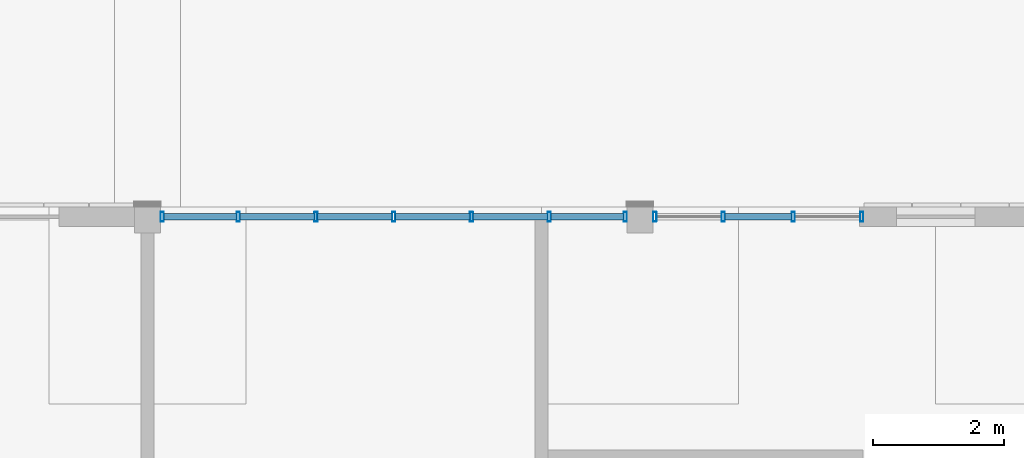
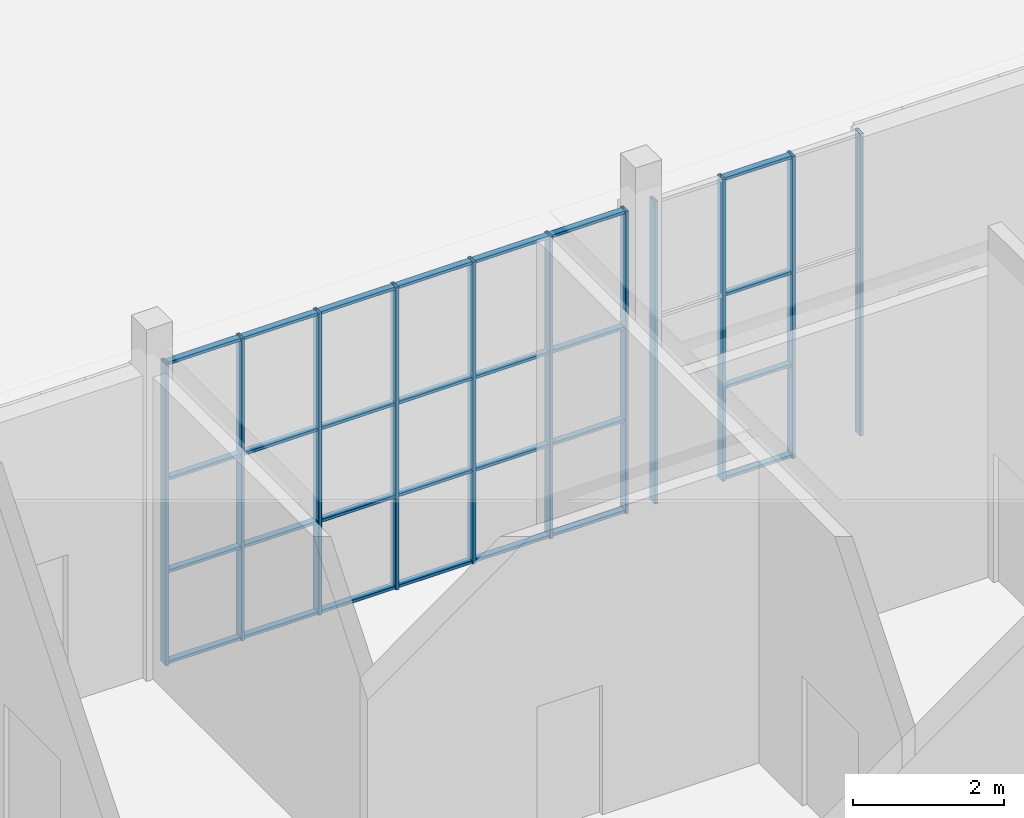
# One storey, part 22 of 125: 39 members, 2 elements without a shape of their own.
"""IFC4 building model written with IfcOpenShell, lengths in metres."""

from ifc_helpers import new_model, si_unit, direction, frame, origin, origin_2d, place, context, subcontext, project, spatial, hollow_rectangle, extrude, material, material_profile, profile_set, type_object, element, aggregate, save


model = new_model("IFC4")

# Units and contexts
model_context = context("Model", 3, precision=1e-05, world=origin(), true_north=direction((0.0, 1.0)))
body_context = subcontext(model_context, "Body", "Model", "MODEL_VIEW")
ifc_project = project(units=[si_unit("LENGTHUNIT", "METRE"), si_unit("AREAUNIT", "SQUARE_METRE"), si_unit("VOLUMEUNIT", "CUBIC_METRE"), si_unit("PLANEANGLEUNIT", "RADIAN"), si_unit("MASSUNIT", "GRAM", prefix="KILO")], contexts=[model_context])

# Site, building, storey
site_placement = place(None, origin())
site = spatial("IfcSite", under=ifc_project, at=site_placement, CompositionType="ELEMENT")
building_placement = place(site_placement, origin())
building = spatial("IfcBuilding", under=site, at=building_placement, Name="Sun Court Science Centre", CompositionType="ELEMENT")
storey_placement = place(building_placement, origin())
storey = spatial("IfcBuildingStorey", under=building, at=storey_placement, Name="L00", CompositionType="ELEMENT", Elevation=0.0)

# Curtain wall, members
ifc_material_1 = material(Name="Aluminium EN AW-6063 T6", Category="aluminium")
curtain_wall_type = type_object("IfcCurtainWallType", Name="Pavilion curtain wall 1200", PredefinedType="NOTDEFINED", material=ifc_material_1)
curtain_wall_1_placement = place(storey_placement, origin())
curtain_wall_1 = element("IfcCurtainWall", 1, at=curtain_wall_1_placement, inside=storey, type_object=curtain_wall_type, Name="Curtain wall V5 N L00 02", PredefinedType="NOTDEFINED")
ifc_material_2 = material(Name="Aluminium EN AW-6063 T6", Category="aluminium")
ifc_material_profile_1 = material_profile(ifc_material_2, hollow_rectangle(XDim=0.050048828125, YDim=0.14990234375, WallThickness=0.00390625, InnerFilletRadius=0.00390625, OuterFilletRadius=0.006103515625, at=origin_2d()), Name="AL 50x150x4")
ifc_profile_set_1 = profile_set([ifc_material_profile_1], Name="Aluminium EN AW-6063 T6")
member_type_1 = type_object("IfcMemberType", Name="Curtain wall mullion AL 50x150", PredefinedType="MULLION", material=ifc_profile_set_1)
member_1_placement = place(storey_placement, frame((51.22509765625, 49.85009765625, 0.0), z_axis=(0.0, 0.0, 1.0), x_axis=(1.0, 0.0, 0.0)))
member_1 = element("IfcMember", 2, at=member_1_placement, type_object=member_type_1, Name="CW3-12 mullion 1", PredefinedType="MULLION", context=body_context, shape_type="SweptSolid", body=[
    extrude(hollow_rectangle(XDim=0.050048828125, YDim=0.14990234375, WallThickness=0.00390625, InnerFilletRadius=0.00390625, OuterFilletRadius=0.006103515625, at=origin_2d()), origin(), (0.0, 0.0, 1.0), 4.89990234375),
])
member_2_placement = place(storey_placement, frame((52.38330078125, 49.85009765625, 0.0), z_axis=(0.0, 0.0, 1.0), x_axis=(1.0, 0.0, 0.0)))
member_2 = element("IfcMember", 3, at=member_2_placement, type_object=member_type_1, Name="CW3-12 mullion 2", PredefinedType="MULLION", context=body_context, shape_type="SweptSolid", body=[
    extrude(hollow_rectangle(XDim=0.050048828125, YDim=0.14990234375, WallThickness=0.00390625, InnerFilletRadius=0.00390625, OuterFilletRadius=0.006103515625, at=origin_2d()), origin(), (0.0, 0.0, 1.0), 4.89990234375),
])
member_3_placement = place(storey_placement, frame((53.566650390625, 49.85009765625, 0.0), z_axis=(0.0, 0.0, 1.0), x_axis=(1.0, 0.0, 0.0)))
member_3 = element("IfcMember", 4, at=member_3_placement, type_object=member_type_1, Name="CW3-12 mullion 3", PredefinedType="MULLION", context=body_context, shape_type="SweptSolid", body=[
    extrude(hollow_rectangle(XDim=0.050048828125, YDim=0.14990234375, WallThickness=0.00390625, InnerFilletRadius=0.00390625, OuterFilletRadius=0.006103515625, at=origin_2d()), origin(), (0.0, 0.0, 1.0), 4.89990234375),
])
member_4_placement = place(storey_placement, frame((54.75, 49.85009765625, 0.0), z_axis=(0.0, 0.0, 1.0), x_axis=(1.0, 0.0, 0.0)))
member_4 = element("IfcMember", 5, at=member_4_placement, type_object=member_type_1, Name="CW3-12 mullion 4", PredefinedType="MULLION", context=body_context, shape_type="SweptSolid", body=[
    extrude(hollow_rectangle(XDim=0.050048828125, YDim=0.14990234375, WallThickness=0.00390625, InnerFilletRadius=0.00390625, OuterFilletRadius=0.006103515625, at=origin_2d()), origin(), (0.0, 0.0, 1.0), 4.89990234375),
])
member_5_placement = place(storey_placement, frame((55.933349609375, 49.85009765625, 0.0), z_axis=(0.0, 0.0, 1.0), x_axis=(1.0, 0.0, 0.0)))
member_5 = element("IfcMember", 6, at=member_5_placement, type_object=member_type_1, Name="CW3-12 mullion 5", PredefinedType="MULLION", context=body_context, shape_type="SweptSolid", body=[
    extrude(hollow_rectangle(XDim=0.050048828125, YDim=0.14990234375, WallThickness=0.00390625, InnerFilletRadius=0.00390625, OuterFilletRadius=0.006103515625, at=origin_2d()), origin(), (0.0, 0.0, 1.0), 4.89990234375),
])
member_6_placement = place(storey_placement, frame((57.11669921875, 49.85009765625, 0.0), z_axis=(0.0, 0.0, 1.0), x_axis=(1.0, 0.0, 0.0)))
member_6 = element("IfcMember", 7, at=member_6_placement, type_object=member_type_1, Name="CW3-12 mullion 6", PredefinedType="MULLION", context=body_context, shape_type="SweptSolid", body=[
    extrude(hollow_rectangle(XDim=0.050048828125, YDim=0.14990234375, WallThickness=0.00390625, InnerFilletRadius=0.00390625, OuterFilletRadius=0.006103515625, at=origin_2d()), origin(), (0.0, 0.0, 1.0), 4.89990234375),
])
member_7_placement = place(storey_placement, frame((58.27490234375, 49.85009765625, 0.0), z_axis=(0.0, 0.0, 1.0), x_axis=(1.0, 0.0, 0.0)))
member_7 = element("IfcMember", 8, at=member_7_placement, type_object=member_type_1, Name="CW3-12 mullion 7", PredefinedType="MULLION", context=body_context, shape_type="SweptSolid", body=[
    extrude(hollow_rectangle(XDim=0.050048828125, YDim=0.14990234375, WallThickness=0.00390625, InnerFilletRadius=0.00390625, OuterFilletRadius=0.006103515625, at=origin_2d()), origin(), (0.0, 0.0, 1.0), 4.89990234375),
])

curtain_wall_2_placement = place(storey_placement, origin())
curtain_wall_2 = element("IfcCurtainWall", 9, at=curtain_wall_2_placement, inside=storey, type_object=curtain_wall_type, Name="Curtain wall V5 N L00 03", PredefinedType="NOTDEFINED")
member_8_placement = place(storey_placement, frame((58.72509765625, 49.85009765625, 0.0), z_axis=(0.0, 0.0, 1.0), x_axis=(1.0, 0.0, 0.0)))
member_8 = element("IfcMember", 10, at=member_8_placement, type_object=member_type_1, Name="CW3-13 mullion 1", PredefinedType="MULLION", context=body_context, shape_type="SweptSolid", body=[
    extrude(hollow_rectangle(XDim=0.050048828125, YDim=0.14990234375, WallThickness=0.00390625, InnerFilletRadius=0.00390625, OuterFilletRadius=0.006103515625, at=origin_2d()), origin(), (0.0, 0.0, 1.0), 4.89990234375),
])
member_9_placement = place(storey_placement, frame((59.7666015625, 49.85009765625, 0.0), z_axis=(0.0, 0.0, 1.0), x_axis=(1.0, 0.0, 0.0)))
member_9 = element("IfcMember", 11, at=member_9_placement, type_object=member_type_1, Name="CW3-13 mullion 2", PredefinedType="MULLION", context=body_context, shape_type="SweptSolid", body=[
    extrude(hollow_rectangle(XDim=0.050048828125, YDim=0.14990234375, WallThickness=0.00390625, InnerFilletRadius=0.00390625, OuterFilletRadius=0.006103515625, at=origin_2d()), origin(), (0.0, 0.0, 1.0), 4.89990234375),
])
member_10_placement = place(storey_placement, frame((60.833251953125, 49.85009765625, 0.0), z_axis=(0.0, 0.0, 1.0), x_axis=(1.0, 0.0, 0.0)))
member_10 = element("IfcMember", 12, at=member_10_placement, type_object=member_type_1, Name="CW3-13 mullion 3", PredefinedType="MULLION", context=body_context, shape_type="SweptSolid", body=[
    extrude(hollow_rectangle(XDim=0.050048828125, YDim=0.14990234375, WallThickness=0.00390625, InnerFilletRadius=0.00390625, OuterFilletRadius=0.006103515625, at=origin_2d()), origin(), (0.0, 0.0, 1.0), 4.89990234375),
])
member_11_placement = place(storey_placement, frame((61.875, 49.85009765625, 0.0), z_axis=(0.0, 0.0, 1.0), x_axis=(1.0, 0.0, 0.0)))
member_11 = element("IfcMember", 13, at=member_11_placement, type_object=member_type_1, Name="CW3-13 mullion 4", PredefinedType="MULLION", context=body_context, shape_type="SweptSolid", body=[
    extrude(hollow_rectangle(XDim=0.050048828125, YDim=0.14990234375, WallThickness=0.00390625, InnerFilletRadius=0.00390625, OuterFilletRadius=0.006103515625, at=origin_2d()), origin(), (0.0, 0.0, 1.0), 4.89990234375),
])

# Member
ifc_material_3 = material(Name="Aluminium EN AW-6063 T6", Category="aluminium")
ifc_material_profile_2 = material_profile(ifc_material_3, hollow_rectangle(XDim=0.050048828125, YDim=0.10009765625, WallThickness=0.00390625, InnerFilletRadius=0.00390625, OuterFilletRadius=0.006103515625, at=origin_2d()), Name="AL 50x100x4")
ifc_profile_set_2 = profile_set([ifc_material_profile_2], Name="Aluminium EN AW-6063 T6")
member_type_2 = type_object("IfcMemberType", Name="Curtain wall transom AL 50x100", PredefinedType="USERDEFINED", material=ifc_profile_set_2)
member_12_placement = place(storey_placement, frame((51.25, 49.85009765625, 0.02490234375), z_axis=(1.0, 0.0, 0.0), x_axis=(0.0, 0.0, 1.0)))
member_12 = element("IfcMember", 14, at=member_12_placement, type_object=member_type_2, Name="CW3-12 transom 1.1", ObjectType="TRANSOM", PredefinedType="USERDEFINED", context=body_context, shape_type="SweptSolid", body=[
    extrude(hollow_rectangle(XDim=0.050048828125, YDim=0.10009765625, WallThickness=0.00390625, InnerFilletRadius=0.00390625, OuterFilletRadius=0.006103515625, at=origin_2d()), origin(), (0.0, 0.0, 1.0), 1.1083984375),
])

member_13_placement = place(storey_placement, frame((52.408447265625, 49.85009765625, 0.02490234375), z_axis=(1.0, 0.0, 0.0), x_axis=(0.0, 0.0, 1.0)))
member_13 = element("IfcMember", 15, at=member_13_placement, type_object=member_type_2, Name="CW3-12 transom 2.1", ObjectType="TRANSOM", PredefinedType="USERDEFINED", context=body_context, shape_type="SweptSolid", body=[
    extrude(hollow_rectangle(XDim=0.050048828125, YDim=0.10009765625, WallThickness=0.00390625, InnerFilletRadius=0.00390625, OuterFilletRadius=0.006103515625, at=origin_2d()), origin(), (0.0, 0.0, 1.0), 1.13330078125),
])

member_14_placement = place(storey_placement, frame((53.591552734375, 49.85009765625, 0.02490234375), z_axis=(1.0, 0.0, 0.0), x_axis=(0.0, 0.0, 1.0)))
member_14 = element("IfcMember", 16, at=member_14_placement, type_object=member_type_2, Name="CW3-12 transom 3.1", ObjectType="TRANSOM", PredefinedType="USERDEFINED", context=body_context, shape_type="SweptSolid", body=[
    extrude(hollow_rectangle(XDim=0.050048828125, YDim=0.10009765625, WallThickness=0.00390625, InnerFilletRadius=0.00390625, OuterFilletRadius=0.006103515625, at=origin_2d()), origin(), (0.0, 0.0, 1.0), 1.133544921875),
])

member_15_placement = place(storey_placement, frame((54.77490234375, 49.85009765625, 0.02490234375), z_axis=(1.0, 0.0, 0.0), x_axis=(0.0, 0.0, 1.0)))
member_15 = element("IfcMember", 17, at=member_15_placement, type_object=member_type_2, Name="CW3-12 transom 4.1", ObjectType="TRANSOM", PredefinedType="USERDEFINED", context=body_context, shape_type="SweptSolid", body=[
    extrude(hollow_rectangle(XDim=0.050048828125, YDim=0.10009765625, WallThickness=0.00390625, InnerFilletRadius=0.00390625, OuterFilletRadius=0.006103515625, at=origin_2d()), origin(), (0.0, 0.0, 1.0), 1.133544921875),
])

member_16_placement = place(storey_placement, frame((55.958251953125, 49.85009765625, 0.02490234375), z_axis=(1.0, 0.0, 0.0), x_axis=(0.0, 0.0, 1.0)))
member_16 = element("IfcMember", 18, at=member_16_placement, type_object=member_type_2, Name="CW3-12 transom 5.1", ObjectType="TRANSOM", PredefinedType="USERDEFINED", context=body_context, shape_type="SweptSolid", body=[
    extrude(hollow_rectangle(XDim=0.050048828125, YDim=0.10009765625, WallThickness=0.00390625, InnerFilletRadius=0.00390625, OuterFilletRadius=0.006103515625, at=origin_2d()), origin(), (0.0, 0.0, 1.0), 1.13330078125),
])

member_17_placement = place(storey_placement, frame((57.1416015625, 49.85009765625, 0.02490234375), z_axis=(1.0, 0.0, 0.0), x_axis=(0.0, 0.0, 1.0)))
member_17 = element("IfcMember", 19, at=member_17_placement, type_object=member_type_2, Name="CW3-12 transom 6.1", ObjectType="TRANSOM", PredefinedType="USERDEFINED", context=body_context, shape_type="SweptSolid", body=[
    extrude(hollow_rectangle(XDim=0.050048828125, YDim=0.10009765625, WallThickness=0.00390625, InnerFilletRadius=0.00390625, OuterFilletRadius=0.006103515625, at=origin_2d()), origin(), (0.0, 0.0, 1.0), 1.1083984375),
])

member_18_placement = place(storey_placement, frame((51.25, 49.85009765625, 1.5), z_axis=(1.0, 0.0, 0.0), x_axis=(0.0, 0.0, 1.0)))
member_18 = element("IfcMember", 20, at=member_18_placement, type_object=member_type_2, Name="CW3-12 transom 1.2", ObjectType="TRANSOM", PredefinedType="USERDEFINED", context=body_context, shape_type="SweptSolid", body=[
    extrude(hollow_rectangle(XDim=0.050048828125, YDim=0.10009765625, WallThickness=0.00390625, InnerFilletRadius=0.00390625, OuterFilletRadius=0.006103515625, at=origin_2d()), origin(), (0.0, 0.0, 1.0), 1.1083984375),
])

member_19_placement = place(storey_placement, frame((52.408447265625, 49.85009765625, 1.5), z_axis=(1.0, 0.0, 0.0), x_axis=(0.0, 0.0, 1.0)))
member_19 = element("IfcMember", 21, at=member_19_placement, type_object=member_type_2, Name="CW3-12 transom 2.2", ObjectType="TRANSOM", PredefinedType="USERDEFINED", context=body_context, shape_type="SweptSolid", body=[
    extrude(hollow_rectangle(XDim=0.050048828125, YDim=0.10009765625, WallThickness=0.00390625, InnerFilletRadius=0.00390625, OuterFilletRadius=0.006103515625, at=origin_2d()), origin(), (0.0, 0.0, 1.0), 1.13330078125),
])

member_20_placement = place(storey_placement, frame((53.591552734375, 49.85009765625, 1.5), z_axis=(1.0, 0.0, 0.0), x_axis=(0.0, 0.0, 1.0)))
member_20 = element("IfcMember", 22, at=member_20_placement, type_object=member_type_2, Name="CW3-12 transom 3.2", ObjectType="TRANSOM", PredefinedType="USERDEFINED", context=body_context, shape_type="SweptSolid", body=[
    extrude(hollow_rectangle(XDim=0.050048828125, YDim=0.10009765625, WallThickness=0.00390625, InnerFilletRadius=0.00390625, OuterFilletRadius=0.006103515625, at=origin_2d()), origin(), (0.0, 0.0, 1.0), 1.133544921875),
])

member_21_placement = place(storey_placement, frame((54.77490234375, 49.85009765625, 1.5), z_axis=(1.0, 0.0, 0.0), x_axis=(0.0, 0.0, 1.0)))
member_21 = element("IfcMember", 23, at=member_21_placement, type_object=member_type_2, Name="CW3-12 transom 4.2", ObjectType="TRANSOM", PredefinedType="USERDEFINED", context=body_context, shape_type="SweptSolid", body=[
    extrude(hollow_rectangle(XDim=0.050048828125, YDim=0.10009765625, WallThickness=0.00390625, InnerFilletRadius=0.00390625, OuterFilletRadius=0.006103515625, at=origin_2d()), origin(), (0.0, 0.0, 1.0), 1.133544921875),
])

member_22_placement = place(storey_placement, frame((55.958251953125, 49.85009765625, 1.5), z_axis=(1.0, 0.0, 0.0), x_axis=(0.0, 0.0, 1.0)))
member_22 = element("IfcMember", 24, at=member_22_placement, type_object=member_type_2, Name="CW3-12 transom 5.2", ObjectType="TRANSOM", PredefinedType="USERDEFINED", context=body_context, shape_type="SweptSolid", body=[
    extrude(hollow_rectangle(XDim=0.050048828125, YDim=0.10009765625, WallThickness=0.00390625, InnerFilletRadius=0.00390625, OuterFilletRadius=0.006103515625, at=origin_2d()), origin(), (0.0, 0.0, 1.0), 1.13330078125),
])

member_23_placement = place(storey_placement, frame((57.1416015625, 49.85009765625, 1.5), z_axis=(1.0, 0.0, 0.0), x_axis=(0.0, 0.0, 1.0)))
member_23 = element("IfcMember", 25, at=member_23_placement, type_object=member_type_2, Name="CW3-12 transom 6.2", ObjectType="TRANSOM", PredefinedType="USERDEFINED", context=body_context, shape_type="SweptSolid", body=[
    extrude(hollow_rectangle(XDim=0.050048828125, YDim=0.10009765625, WallThickness=0.00390625, InnerFilletRadius=0.00390625, OuterFilletRadius=0.006103515625, at=origin_2d()), origin(), (0.0, 0.0, 1.0), 1.1083984375),
])

member_24_placement = place(storey_placement, frame((51.25, 49.85009765625, 3.0), z_axis=(1.0, 0.0, 0.0), x_axis=(0.0, 0.0, 1.0)))
member_24 = element("IfcMember", 26, at=member_24_placement, type_object=member_type_2, Name="CW3-12 transom 1.3", ObjectType="TRANSOM", PredefinedType="USERDEFINED", context=body_context, shape_type="SweptSolid", body=[
    extrude(hollow_rectangle(XDim=0.050048828125, YDim=0.10009765625, WallThickness=0.00390625, InnerFilletRadius=0.00390625, OuterFilletRadius=0.006103515625, at=origin_2d()), origin(), (0.0, 0.0, 1.0), 1.1083984375),
])

member_25_placement = place(storey_placement, frame((52.408447265625, 49.85009765625, 3.0), z_axis=(1.0, 0.0, 0.0), x_axis=(0.0, 0.0, 1.0)))
member_25 = element("IfcMember", 27, at=member_25_placement, type_object=member_type_2, Name="CW3-12 transom 2.3", ObjectType="TRANSOM", PredefinedType="USERDEFINED", context=body_context, shape_type="SweptSolid", body=[
    extrude(hollow_rectangle(XDim=0.050048828125, YDim=0.10009765625, WallThickness=0.00390625, InnerFilletRadius=0.00390625, OuterFilletRadius=0.006103515625, at=origin_2d()), origin(), (0.0, 0.0, 1.0), 1.13330078125),
])

member_26_placement = place(storey_placement, frame((53.591552734375, 49.85009765625, 3.0), z_axis=(1.0, 0.0, 0.0), x_axis=(0.0, 0.0, 1.0)))
member_26 = element("IfcMember", 28, at=member_26_placement, type_object=member_type_2, Name="CW3-12 transom 3.3", ObjectType="TRANSOM", PredefinedType="USERDEFINED", context=body_context, shape_type="SweptSolid", body=[
    extrude(hollow_rectangle(XDim=0.050048828125, YDim=0.10009765625, WallThickness=0.00390625, InnerFilletRadius=0.00390625, OuterFilletRadius=0.006103515625, at=origin_2d()), origin(), (0.0, 0.0, 1.0), 1.133544921875),
])

member_27_placement = place(storey_placement, frame((54.77490234375, 49.85009765625, 3.0), z_axis=(1.0, 0.0, 0.0), x_axis=(0.0, 0.0, 1.0)))
member_27 = element("IfcMember", 29, at=member_27_placement, type_object=member_type_2, Name="CW3-12 transom 4.3", ObjectType="TRANSOM", PredefinedType="USERDEFINED", context=body_context, shape_type="SweptSolid", body=[
    extrude(hollow_rectangle(XDim=0.050048828125, YDim=0.10009765625, WallThickness=0.00390625, InnerFilletRadius=0.00390625, OuterFilletRadius=0.006103515625, at=origin_2d()), origin(), (0.0, 0.0, 1.0), 1.133544921875),
])

member_28_placement = place(storey_placement, frame((55.958251953125, 49.85009765625, 3.0), z_axis=(1.0, 0.0, 0.0), x_axis=(0.0, 0.0, 1.0)))
member_28 = element("IfcMember", 30, at=member_28_placement, type_object=member_type_2, Name="CW3-12 transom 5.3", ObjectType="TRANSOM", PredefinedType="USERDEFINED", context=body_context, shape_type="SweptSolid", body=[
    extrude(hollow_rectangle(XDim=0.050048828125, YDim=0.10009765625, WallThickness=0.00390625, InnerFilletRadius=0.00390625, OuterFilletRadius=0.006103515625, at=origin_2d()), origin(), (0.0, 0.0, 1.0), 1.13330078125),
])

member_29_placement = place(storey_placement, frame((57.1416015625, 49.85009765625, 3.0), z_axis=(1.0, 0.0, 0.0), x_axis=(0.0, 0.0, 1.0)))
member_29 = element("IfcMember", 31, at=member_29_placement, type_object=member_type_2, Name="CW3-12 transom 6.3", ObjectType="TRANSOM", PredefinedType="USERDEFINED", context=body_context, shape_type="SweptSolid", body=[
    extrude(hollow_rectangle(XDim=0.050048828125, YDim=0.10009765625, WallThickness=0.00390625, InnerFilletRadius=0.00390625, OuterFilletRadius=0.006103515625, at=origin_2d()), origin(), (0.0, 0.0, 1.0), 1.1083984375),
])

member_30_placement = place(storey_placement, frame((51.25, 49.85009765625, 4.875), z_axis=(1.0, 0.0, 0.0), x_axis=(0.0, 0.0, 1.0)))
member_30 = element("IfcMember", 32, at=member_30_placement, type_object=member_type_2, Name="CW3-12 transom 1.4", ObjectType="TRANSOM", PredefinedType="USERDEFINED", context=body_context, shape_type="SweptSolid", body=[
    extrude(hollow_rectangle(XDim=0.050048828125, YDim=0.10009765625, WallThickness=0.00390625, InnerFilletRadius=0.00390625, OuterFilletRadius=0.006103515625, at=origin_2d()), origin(), (0.0, 0.0, 1.0), 1.1083984375),
])

member_31_placement = place(storey_placement, frame((52.408447265625, 49.85009765625, 4.875), z_axis=(1.0, 0.0, 0.0), x_axis=(0.0, 0.0, 1.0)))
member_31 = element("IfcMember", 33, at=member_31_placement, type_object=member_type_2, Name="CW3-12 transom 2.4", ObjectType="TRANSOM", PredefinedType="USERDEFINED", context=body_context, shape_type="SweptSolid", body=[
    extrude(hollow_rectangle(XDim=0.050048828125, YDim=0.10009765625, WallThickness=0.00390625, InnerFilletRadius=0.00390625, OuterFilletRadius=0.006103515625, at=origin_2d()), origin(), (0.0, 0.0, 1.0), 1.13330078125),
])

member_32_placement = place(storey_placement, frame((53.591552734375, 49.85009765625, 4.875), z_axis=(1.0, 0.0, 0.0), x_axis=(0.0, 0.0, 1.0)))
member_32 = element("IfcMember", 34, at=member_32_placement, type_object=member_type_2, Name="CW3-12 transom 3.4", ObjectType="TRANSOM", PredefinedType="USERDEFINED", context=body_context, shape_type="SweptSolid", body=[
    extrude(hollow_rectangle(XDim=0.050048828125, YDim=0.10009765625, WallThickness=0.00390625, InnerFilletRadius=0.00390625, OuterFilletRadius=0.006103515625, at=origin_2d()), origin(), (0.0, 0.0, 1.0), 1.133544921875),
])

member_33_placement = place(storey_placement, frame((54.77490234375, 49.85009765625, 4.875), z_axis=(1.0, 0.0, 0.0), x_axis=(0.0, 0.0, 1.0)))
member_33 = element("IfcMember", 35, at=member_33_placement, type_object=member_type_2, Name="CW3-12 transom 4.4", ObjectType="TRANSOM", PredefinedType="USERDEFINED", context=body_context, shape_type="SweptSolid", body=[
    extrude(hollow_rectangle(XDim=0.050048828125, YDim=0.10009765625, WallThickness=0.00390625, InnerFilletRadius=0.00390625, OuterFilletRadius=0.006103515625, at=origin_2d()), origin(), (0.0, 0.0, 1.0), 1.133544921875),
])

member_34_placement = place(storey_placement, frame((55.958251953125, 49.85009765625, 4.875), z_axis=(1.0, 0.0, 0.0), x_axis=(0.0, 0.0, 1.0)))
member_34 = element("IfcMember", 36, at=member_34_placement, type_object=member_type_2, Name="CW3-12 transom 5.4", ObjectType="TRANSOM", PredefinedType="USERDEFINED", context=body_context, shape_type="SweptSolid", body=[
    extrude(hollow_rectangle(XDim=0.050048828125, YDim=0.10009765625, WallThickness=0.00390625, InnerFilletRadius=0.00390625, OuterFilletRadius=0.006103515625, at=origin_2d()), origin(), (0.0, 0.0, 1.0), 1.13330078125),
])

member_35_placement = place(storey_placement, frame((57.1416015625, 49.85009765625, 4.875), z_axis=(1.0, 0.0, 0.0), x_axis=(0.0, 0.0, 1.0)))
member_35 = element("IfcMember", 37, at=member_35_placement, type_object=member_type_2, Name="CW3-12 transom 6.4", ObjectType="TRANSOM", PredefinedType="USERDEFINED", context=body_context, shape_type="SweptSolid", body=[
    extrude(hollow_rectangle(XDim=0.050048828125, YDim=0.10009765625, WallThickness=0.00390625, InnerFilletRadius=0.00390625, OuterFilletRadius=0.006103515625, at=origin_2d()), origin(), (0.0, 0.0, 1.0), 1.1083984375),
])

aggregate(curtain_wall_1, [member_1, member_2, member_3, member_4, member_5, member_6, member_7, member_12, member_13, member_14, member_15, member_16, member_17, member_18, member_19, member_20, member_21, member_22, member_23, member_24, member_25, member_26, member_27, member_28, member_29, member_30, member_31, member_32, member_33, member_34, member_35])

member_36_placement = place(storey_placement, frame((59.791748046875, 49.85009765625, 0.02490234375), z_axis=(1.0, 0.0, 0.0), x_axis=(0.0, 0.0, 1.0)))
member_36 = element("IfcMember", 38, at=member_36_placement, type_object=member_type_2, Name="CW3-13 transom 2.1", ObjectType="TRANSOM", PredefinedType="USERDEFINED", context=body_context, shape_type="SweptSolid", body=[
    extrude(hollow_rectangle(XDim=0.050048828125, YDim=0.10009765625, WallThickness=0.00390625, InnerFilletRadius=0.00390625, OuterFilletRadius=0.006103515625, at=origin_2d()), origin(), (0.0, 0.0, 1.0), 1.0166015625),
])

member_37_placement = place(storey_placement, frame((59.791748046875, 49.85009765625, 1.5), z_axis=(1.0, 0.0, 0.0), x_axis=(0.0, 0.0, 1.0)))
member_37 = element("IfcMember", 39, at=member_37_placement, type_object=member_type_2, Name="CW3-13 transom 2.2", ObjectType="TRANSOM", PredefinedType="USERDEFINED", context=body_context, shape_type="SweptSolid", body=[
    extrude(hollow_rectangle(XDim=0.050048828125, YDim=0.10009765625, WallThickness=0.00390625, InnerFilletRadius=0.00390625, OuterFilletRadius=0.006103515625, at=origin_2d()), origin(), (0.0, 0.0, 1.0), 1.0166015625),
])

member_38_placement = place(storey_placement, frame((59.791748046875, 49.85009765625, 3.0), z_axis=(1.0, 0.0, 0.0), x_axis=(0.0, 0.0, 1.0)))
member_38 = element("IfcMember", 40, at=member_38_placement, type_object=member_type_2, Name="CW3-13 transom 2.3", ObjectType="TRANSOM", PredefinedType="USERDEFINED", context=body_context, shape_type="SweptSolid", body=[
    extrude(hollow_rectangle(XDim=0.050048828125, YDim=0.10009765625, WallThickness=0.00390625, InnerFilletRadius=0.00390625, OuterFilletRadius=0.006103515625, at=origin_2d()), origin(), (0.0, 0.0, 1.0), 1.0166015625),
])

member_39_placement = place(storey_placement, frame((59.791748046875, 49.85009765625, 4.875), z_axis=(1.0, 0.0, 0.0), x_axis=(0.0, 0.0, 1.0)))
member_39 = element("IfcMember", 41, at=member_39_placement, type_object=member_type_2, Name="CW3-13 transom 2.4", ObjectType="TRANSOM", PredefinedType="USERDEFINED", context=body_context, shape_type="SweptSolid", body=[
    extrude(hollow_rectangle(XDim=0.050048828125, YDim=0.10009765625, WallThickness=0.00390625, InnerFilletRadius=0.00390625, OuterFilletRadius=0.006103515625, at=origin_2d()), origin(), (0.0, 0.0, 1.0), 1.0166015625),
])

aggregate(curtain_wall_2, [member_8, member_9, member_10, member_11, member_36, member_37, member_38, member_39])

save(model, "model.ifc")
